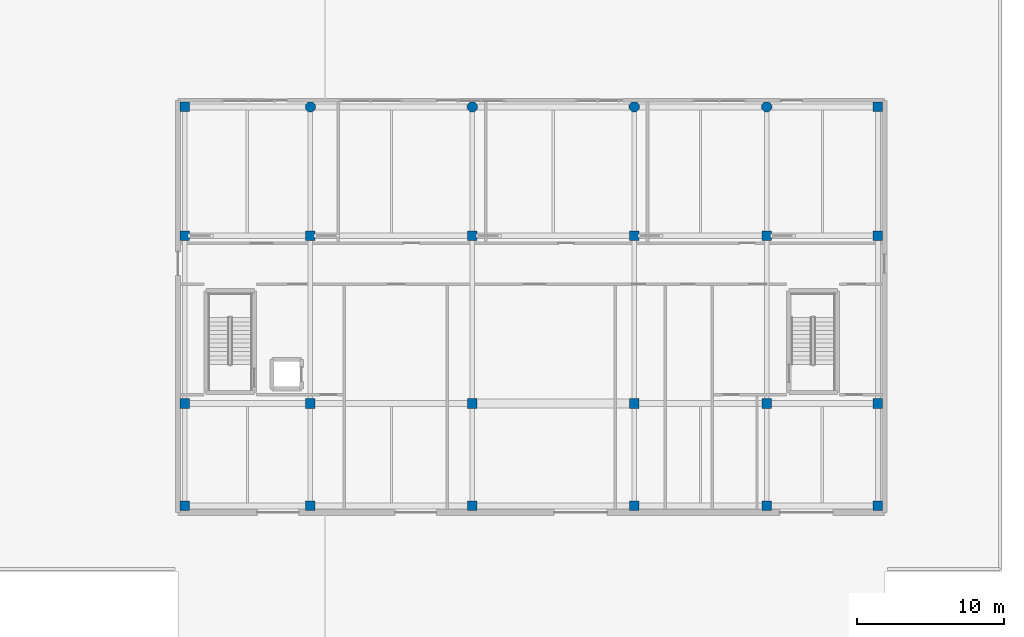
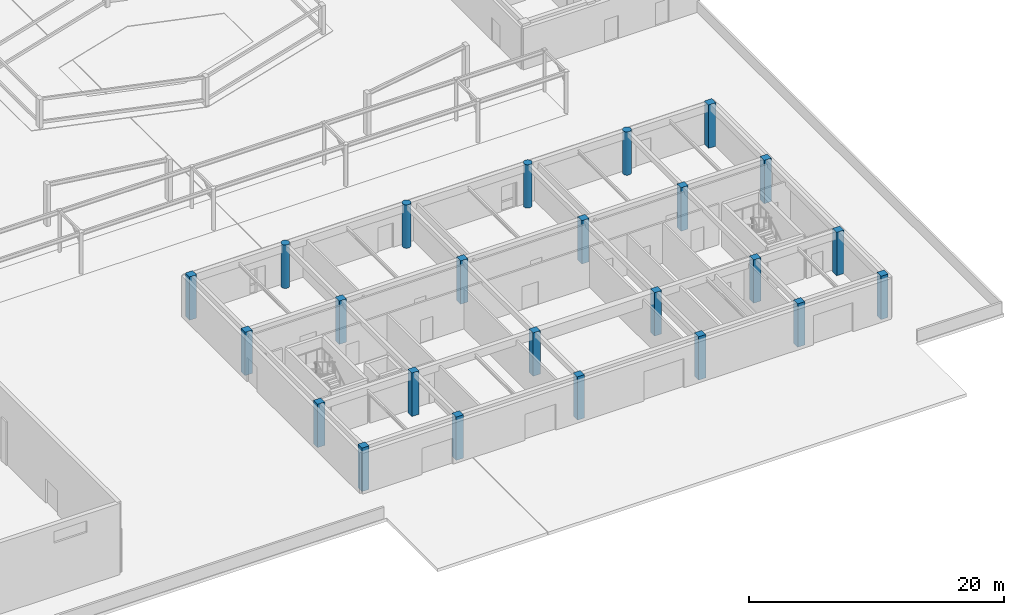
# One storey, part 10 of 114: 24 columns.
"""IFC4 building model written with IfcOpenShell, lengths in metres."""

from ifc_helpers import new_model, si_unit, direction, frame, origin, origin_2d, place, context, subcontext, project, spatial, rectangle, circle, extrude, material, material_profile, profile_set, type_object, element, save


model = new_model("IFC4")

# Units and contexts
model_context = context("Model", 3, precision=1e-05, world=origin(), true_north=direction((0.0, 1.0)))
body_context = subcontext(model_context, "Body", "Model", "MODEL_VIEW")
ifc_project = project(units=[si_unit("LENGTHUNIT", "METRE"), si_unit("AREAUNIT", "SQUARE_METRE"), si_unit("VOLUMEUNIT", "CUBIC_METRE"), si_unit("PLANEANGLEUNIT", "RADIAN"), si_unit("MASSUNIT", "GRAM", prefix="KILO")], contexts=[model_context])

# Site, building, storey
site_placement = place(None, origin())
site = spatial("IfcSite", under=ifc_project, at=site_placement, CompositionType="ELEMENT")
building_placement = place(site_placement, origin())
building = spatial("IfcBuilding", under=site, at=building_placement, Name="Keldmere Railside Commons", CompositionType="ELEMENT")
storey_placement = place(building_placement, origin())
storey = spatial("IfcBuildingStorey", under=building, at=storey_placement, Name="L00", CompositionType="ELEMENT", Elevation=0.0)

# Columns
ifc_material = material(Name="Concrete H-40 (C40/50)", Category="concrete")
ifc_material_profile_1 = material_profile(ifc_material, circle(Radius=0.35009765625, at=origin_2d()), Name="RC-DIA700")
ifc_profile_set_1 = profile_set([ifc_material_profile_1], Name="Concrete H-40 (C40/50)")
column_type_1 = type_object("IfcColumnType", Name="Arcade Drum Circular Column D700", PredefinedType="COLUMN", material=ifc_profile_set_1)
for number, where, z_axis, x_axis, name in (
    (1, (137.0, 39.550048828125, 0.0), (0.0, 0.0, 1.0), (1.0, 0.0, 0.0), "C-R700 COL-L00-1339"),
    (2, (148.0, 39.550048828125, 0.0), (0.0, 0.0, 1.0), (1.0, 0.0, 0.0), "C-R700 COL-L00-1413"),
    (3, (159.0, 39.550048828125, 0.0), (0.0, 0.0, 1.0), (1.0, 0.0, 0.0), "C-R700 COL-L00-1469"),
    (4, (168.0, 39.550048828125, 0.0), (0.0, 0.0, 1.0), (1.0, 0.0, 0.0), "C-R700 COL-L00-1536"),
):
    element("IfcColumn", number, at=place(storey_placement, frame(where, z_axis=z_axis, x_axis=x_axis)), inside=storey, type_object=column_type_1, Name=name, PredefinedType="COLUMN", context=body_context, shape_type="SweptSolid", body=[
        extrude(circle(Radius=0.35009765625, at=origin_2d()), origin(), (0.0, 0.0, 1.0), 4.159912109375),
    ])
ifc_material_profile_2 = material_profile(ifc_material, rectangle(XDim=0.64990234375, YDim=0.64990234375, at=origin_2d()), Name="RC-650x650")
ifc_profile_set_2 = profile_set([ifc_material_profile_2], Name="Concrete H-40 (C40/50)")
column_type_2 = type_object("IfcColumnType", Name="Podium RC Column 650x650", PredefinedType="COLUMN", material=ifc_profile_set_2)
for number, where, z_axis, x_axis, name in (
    (5, (128.449951171875, 12.449951171875, 0.0), (0.0, 0.0, 1.0), (1.0, 0.0, 0.0), "C-650 COL-L00-1277"),
    (6, (128.449951171875, 19.39990234375, 0.0), (0.0, 0.0, 1.0), (1.0, 0.0, 0.0), "C-650 COL-L00-1281"),
    (7, (128.449951171875, 30.800048828125, 0.0), (0.0, 0.0, 1.0), (1.0, 0.0, 0.0), "C-650 COL-L00-1285"),
    (8, (128.449951171875, 39.550048828125, 0.0), (0.0, 0.0, 1.0), (1.0, 0.0, 0.0), "C-650 COL-L00-1289"),
    (9, (137.0, 12.449951171875, 0.0), (0.0, 0.0, 1.0), (1.0, 0.0, 0.0), "C-650 COL-L00-1325"),
    (10, (137.0, 19.39990234375, 0.0), (0.0, 0.0, 1.0), (1.0, 0.0, 0.0), "C-650 COL-L00-1329"),
    (11, (137.0, 30.800048828125, 0.0), (0.0, 0.0, 1.0), (1.0, 0.0, 0.0), "C-650 COL-L00-1334"),
    (12, (148.0, 12.449951171875, 0.0), (0.0, 0.0, 1.0), (1.0, 0.0, 0.0), "C-650 COL-L00-1399"),
    (13, (148.0, 19.39990234375, 0.0), (0.0, 0.0, 1.0), (1.0, 0.0, 0.0), "C-650 COL-L00-1403"),
    (14, (148.0, 30.800048828125, 0.0), (0.0, 0.0, 1.0), (1.0, 0.0, 0.0), "C-650 COL-L00-1408"),
    (15, (159.0, 12.449951171875, 0.0), (0.0, 0.0, 1.0), (1.0, 0.0, 0.0), "C-650 COL-L00-1455"),
    (16, (159.0, 19.39990234375, 0.0), (0.0, 0.0, 1.0), (1.0, 0.0, 0.0), "C-650 COL-L00-1459"),
    (17, (159.0, 30.800048828125, 0.0), (0.0, 0.0, 1.0), (1.0, 0.0, 0.0), "C-650 COL-L00-1464"),
    (18, (168.0, 12.449951171875, 0.0), (0.0, 0.0, 1.0), (1.0, 0.0, 0.0), "C-650 COL-L00-1522"),
    (19, (168.0, 19.39990234375, 0.0), (0.0, 0.0, 1.0), (1.0, 0.0, 0.0), "C-650 COL-L00-1526"),
    (20, (168.0, 30.800048828125, 0.0), (0.0, 0.0, 1.0), (1.0, 0.0, 0.0), "C-650 COL-L00-1531"),
    (21, (175.550048828125, 12.449951171875, 0.0), (0.0, 0.0, 1.0), (1.0, 0.0, 0.0), "C-650 COL-L00-1756"),
    (22, (175.550048828125, 19.39990234375, 0.0), (0.0, 0.0, 1.0), (1.0, 0.0, 0.0), "C-650 COL-L00-1760"),
    (23, (175.550048828125, 30.800048828125, 0.0), (0.0, 0.0, 1.0), (1.0, 0.0, 0.0), "C-650 COL-L00-1764"),
    (24, (175.550048828125, 39.550048828125, 0.0), (0.0, 0.0, 1.0), (1.0, 0.0, 0.0), "C-650 COL-L00-1768"),
):
    element("IfcColumn", number, at=place(storey_placement, frame(where, z_axis=z_axis, x_axis=x_axis)), inside=storey, type_object=column_type_2, Name=name, PredefinedType="COLUMN", context=body_context, shape_type="SweptSolid", body=[
        extrude(rectangle(XDim=0.64990234375, YDim=0.64990234375, at=origin_2d()), origin(), (0.0, 0.0, 1.0), 4.159912109375),
    ])

save(model, "model.ifc")
